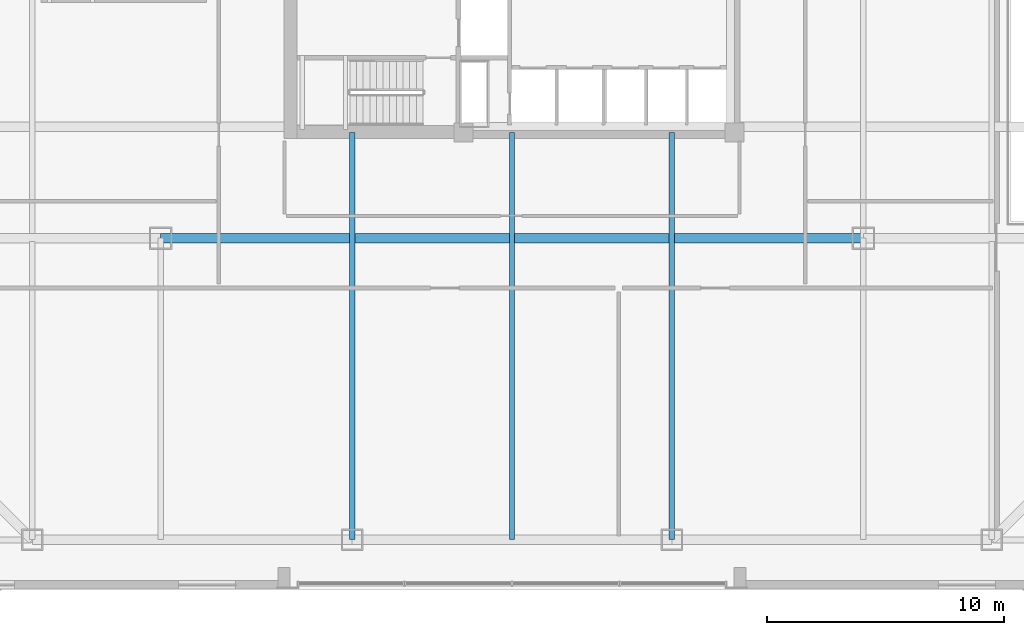
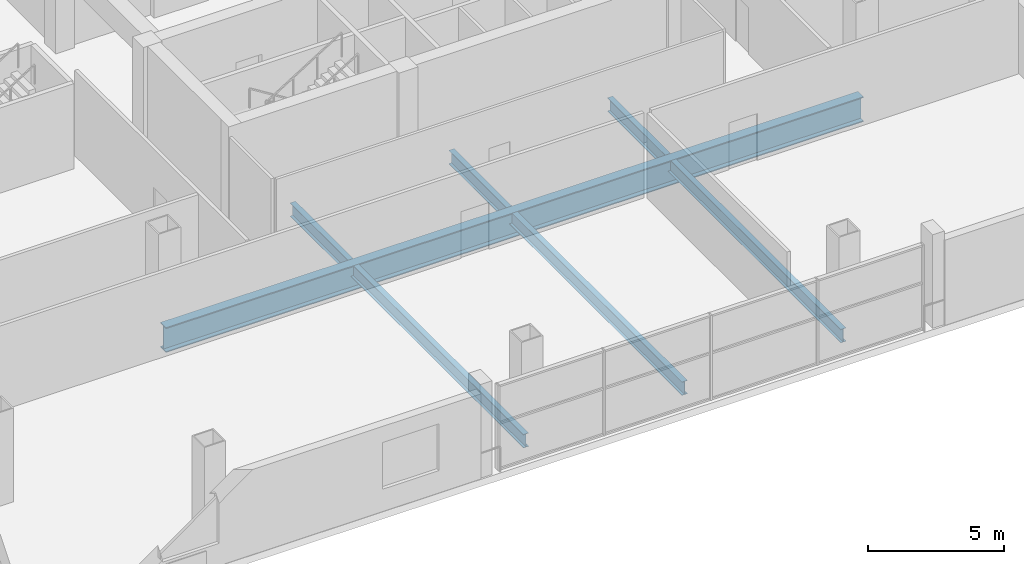
# One storey, part 5 of 21: 4 beams.
"""IFC4 building model written with IfcOpenShell, lengths in metres."""

from ifc_helpers import new_model, si_unit, direction, frame, origin, origin_2d, place, context, subcontext, project, spatial, i_section, extrude, material, material_profile, profile_set, type_object, element, save


model = new_model("IFC4")

# Units and contexts
model_context = context("Model", 3, precision=1e-05, world=origin(), true_north=direction((0.0, 1.0)))
body_context = subcontext(model_context, "Body", "Model", "MODEL_VIEW")
ifc_project = project(units=[si_unit("LENGTHUNIT", "METRE"), si_unit("AREAUNIT", "SQUARE_METRE"), si_unit("VOLUMEUNIT", "CUBIC_METRE"), si_unit("PLANEANGLEUNIT", "RADIAN"), si_unit("MASSUNIT", "GRAM", prefix="KILO")], contexts=[model_context])

# Site, building, storey
site_placement = place(None, origin())
site = spatial("IfcSite", under=ifc_project, at=site_placement, CompositionType="ELEMENT")
building_placement = place(site_placement, origin())
building = spatial("IfcBuilding", under=site, at=building_placement, Name="Qhalaya Broadcast Tower", CompositionType="ELEMENT")
storey_placement = place(building_placement, frame((0.0, 0.0, 17.699951171875)))
storey = spatial("IfcBuildingStorey", under=building, at=storey_placement, Name="L04", CompositionType="ELEMENT", Elevation=17.699951171875)

# Beams
ifc_material = material(Name="Structural Steel ASTM A992 Grade 50", Category="steel")
ifc_material_profile_1 = material_profile(ifc_material, i_section(OverallWidth=0.22802734375, OverallDepth=0.60693359375, WebThickness=0.01123046875, FlangeThickness=0.017333984375, at=origin_2d()), Name="W24X76")
ifc_profile_set_1 = profile_set([ifc_material_profile_1], Name="Structural Steel ASTM A992 Grade 50")
beam_type_1 = type_object("IfcBeamType", Name="Composite Floor Joist J01", PredefinedType="JOIST", material=ifc_profile_set_1)
for number, where, z_axis, x_axis, name in (
    (1, (-6.7333984375, -25.89990234375, -0.62353515625), (0.0, 1.0, 0.0), (-1.0, 0.0, 0.0), "L04 J01 L04-JS-CS-6.7"),
    (2, (0.0, -25.89990234375, -0.62353515625), (0.0, 1.0, 0.0), (-1.0, 0.0, 0.0), "L04 J01 L04-JS-CS+0.0"),
    (3, (6.7333984375, -25.89990234375, -0.62353515625), (0.0, 1.0, 0.0), (-1.0, 0.0, 0.0), "L04 J01 L04-JS-CS+6.7"),
):
    element("IfcBeam", number, at=place(storey_placement, frame(where, z_axis=z_axis, x_axis=x_axis)), inside=storey, type_object=beam_type_1, Name=name, PredefinedType="JOIST", context=body_context, shape_type="SweptSolid", body=[
        extrude(i_section(OverallWidth=0.22802734375, OverallDepth=0.60693359375, WebThickness=0.01123046875, FlangeThickness=0.017333984375, at=origin_2d()), origin(), (0.0, 0.0, 1.0), 17.14990234375),
    ])
ifc_material_profile_2 = material_profile(ifc_material, i_section(OverallWidth=0.404052734375, OverallDepth=1.117919921875, WebThickness=0.026123046875, FlangeThickness=0.044921875, at=origin_2d()), Name="W44X335")
ifc_profile_set_2 = profile_set([ifc_material_profile_2], Name="Structural Steel ASTM A992 Grade 50")
beam_type_2 = type_object("IfcBeamType", Name="Podium Long-Span Primary Girder PG1", PredefinedType="USERDEFINED", material=ifc_profile_set_2)
beam_placement = place(storey_placement, frame((-14.800048828125, -13.199951171875, -0.87890625), z_axis=(1.0, 0.0, 0.0), x_axis=(0.0, 1.0, 0.0)))
element("IfcBeam", 4, at=beam_placement, inside=storey, type_object=beam_type_2, Name="L04 PG1 L04-PG-GS3", ObjectType="GIRDER", PredefinedType="USERDEFINED", context=body_context, shape_type="SweptSolid", body=[
    extrude(i_section(OverallWidth=0.404052734375, OverallDepth=1.117919921875, WebThickness=0.026123046875, FlangeThickness=0.044921875, at=origin_2d()), origin(), (0.0, 0.0, 1.0), 29.60009765625),
])

save(model, "model.ifc")
